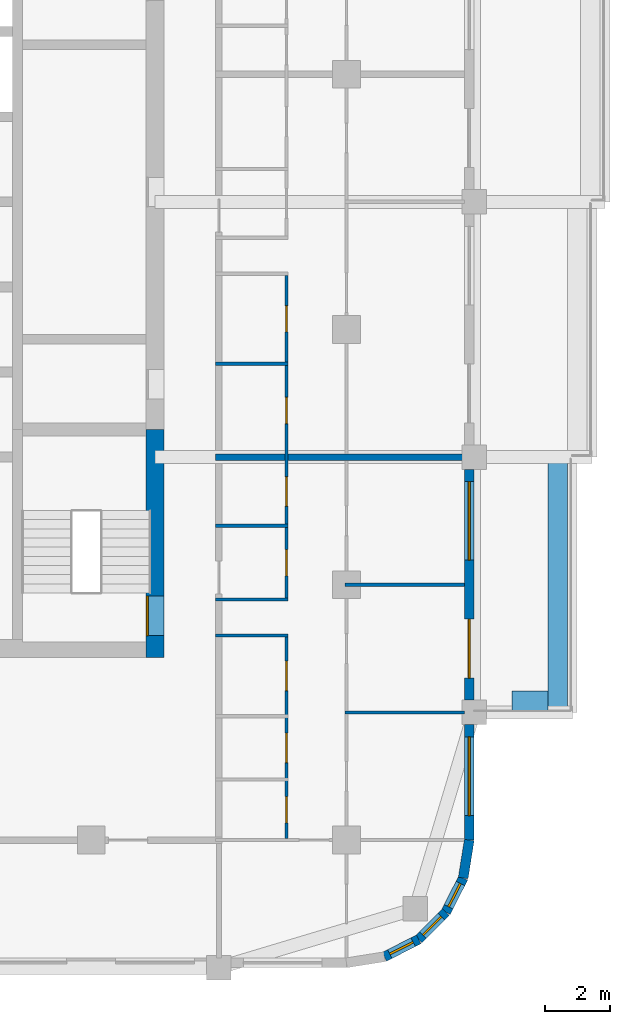
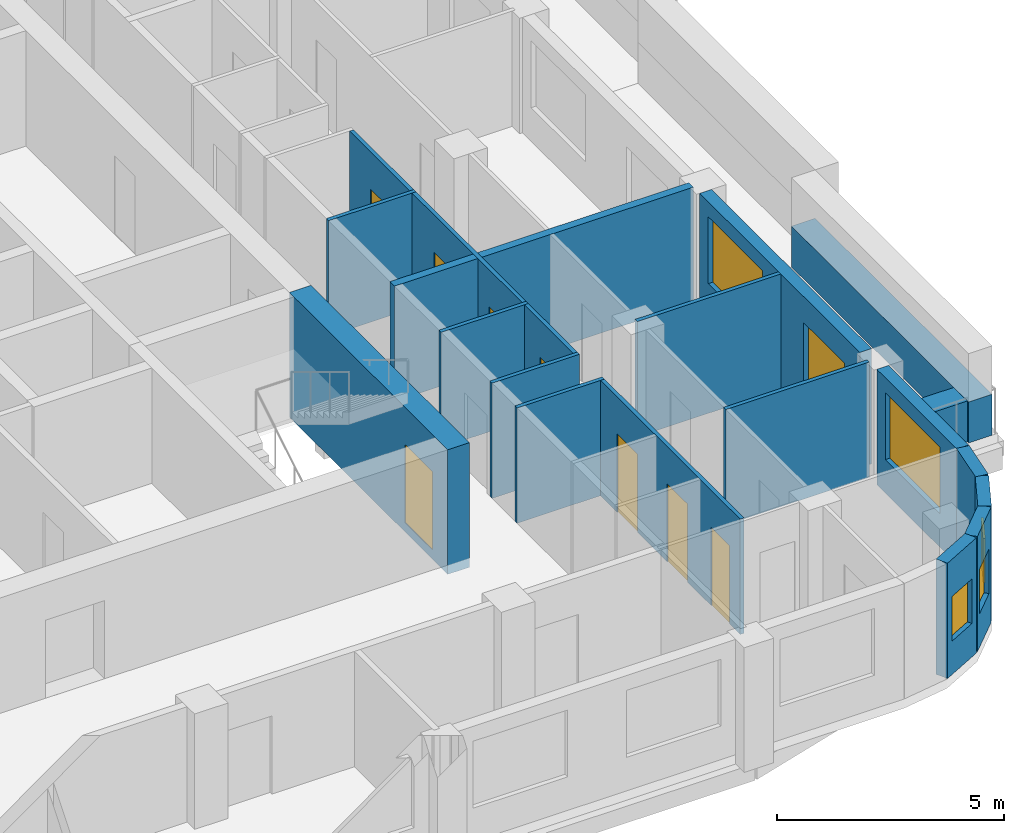
# One storey, part 6 of 13: 18 walls, 9 doors, 5 windows, 14 openings.
"""IFC4 building model written with IfcOpenShell, lengths in metres."""

from ifc_helpers import new_model, si_unit, direction, frame, frame_2d, origin, place, context, subcontext, project, spatial, rectangle, extrude, material, layer, layer_set, type_object, element, fill, save


model = new_model("IFC4")

# Units and contexts
model_context = context("Model", 3, precision=1e-05, world=origin(), true_north=direction((0.0, 1.0)))
body_context = subcontext(model_context, "Body", "Model", "MODEL_VIEW")
ifc_project = project(units=[si_unit("LENGTHUNIT", "METRE"), si_unit("AREAUNIT", "SQUARE_METRE"), si_unit("VOLUMEUNIT", "CUBIC_METRE"), si_unit("PLANEANGLEUNIT", "RADIAN"), si_unit("MASSUNIT", "GRAM", prefix="KILO")], contexts=[model_context])

# Site, building, storey
site_placement = place(None, origin())
site = spatial("IfcSite", under=ifc_project, at=site_placement, CompositionType="ELEMENT")
building_placement = place(site_placement, origin())
building = spatial("IfcBuilding", under=site, at=building_placement, Name="Ludao Terraces", CompositionType="ELEMENT")
storey_placement = place(building_placement, frame((0.0, 0.0, 189.39990234375)))
storey = spatial("IfcBuildingStorey", under=building, at=storey_placement, Name="L51", CompositionType="ELEMENT", Elevation=189.39990234375)

# Wall, opening, door
ifc_material_1 = material(Name="Concrete C60", Category="concrete")
ifc_layer_1 = layer(ifc_material_1, 0.550048828125)
ifc_layer_set_1 = layer_set([ifc_layer_1], Name="Core wall 550 C60")
wall_type_1 = type_object("IfcWallType", Name="Core wall 550 C60", PredefinedType="SOLIDWALL", material=ifc_layer_set_1)
wall_1_placement = place(storey_placement, frame((94.75, 54.97509765625, -0.25), z_axis=(0.0, 0.0, 1.0), x_axis=(0.0, 1.0, 0.0)))
wall_1 = element("IfcWall", 1, at=wall_1_placement, inside=storey, type_object=wall_type_1, Name="Core wall L51 outer-E-S3", PredefinedType="SOLIDWALL", context=body_context, shape_type="SweptSolid", body=[
    extrude(rectangle(XDim=6.974853515625, YDim=0.550048828125, at=frame_2d((3.4873046875, 0.0))), origin(), (0.0, 0.0, 1.0), 3.35009765625),
])
opening_1_placement = place(wall_1_placement, frame((0.675048828125, 0.0, 0.25)))
opening_1 = element("IfcOpeningElement", 2, at=opening_1_placement, cuts=wall_1, Name="Opening R18-019", PredefinedType="OPENING", context=body_context, shape_type="SweptSolid", body=[
    extrude(rectangle(XDim=1.199951171875, YDim=2.10009765625, at=frame_2d((0.60009765625, 1.050048828125))), frame((0.0, 0.28515625, 0.0), z_axis=(0.0, -1.0, 0.0), x_axis=(1.0, 0.0, 0.0)), (0.0, 0.0, 1.0), 0.570068359375),
])
ifc_material_2 = material(Name="Steel Q235", Category="steel")
door_type_1 = type_object("IfcDoorType", Name="INT Stair door 1200", OperationType="DOUBLE_DOOR_SINGLE_SWING", PredefinedType="DOOR", material=ifc_material_2)
door_1_placement = place(opening_1_placement, origin())
door_1 = element("IfcDoor", 3, at=door_1_placement, inside=storey, type_object=door_type_1, Name="DOOR 019", OperationType="DOUBLE_DOOR_SINGLE_SWING", OverallHeight=2.10009765625, OverallWidth=1.199951171875, PredefinedType="DOOR", context=body_context, shape_type="SweptSolid", body=[
    extrude(rectangle(XDim=1.199951171875, YDim=2.10009765625, at=frame_2d((0.60009765625, 1.050048828125))), frame((0.0, 0.26025390625, 0.0), z_axis=(0.0, -1.0, 0.0), x_axis=(1.0, 0.0, 0.0)), (0.0, 0.0, 1.0), 0.050048828125),
])
fill(opening_1, door_1)

# Walls
ifc_material_3 = material(Name="Concrete C40", Category="concrete")
ifc_layer_2 = layer(ifc_material_3, 0.60009765625)
ifc_layer_set_2 = layer_set([ifc_layer_2], Name="ENV Planter trough 600")
wall_type_2 = type_object("IfcWallType", Name="ENV Planter trough 600", PredefinedType="USERDEFINED", material=ifc_layer_set_2)
wall_2_placement = place(storey_placement, frame((107.050048828125, 53.300048828125, 0.0), z_axis=(0.0, 0.0, 1.0), x_axis=(0.0, 1.0, 0.0)))
element("IfcWall", 4, at=wall_2_placement, inside=storey, type_object=wall_type_2, Name="PL-L51-E1", ObjectType="PLANTER", PredefinedType="USERDEFINED", context=body_context, shape_type="SweptSolid", body=[
    extrude(rectangle(XDim=7.800048828125, YDim=0.60009765625, at=frame_2d((3.89990234375, 0.0))), origin(), (0.0, 0.0, 1.0), 1.10009765625),
])
wall_3_placement = place(storey_placement, frame((106.75, 53.64990234375, 0.0), z_axis=(0.0, 0.0, 1.0), x_axis=(-1.0, 0.0, 0.0)))
element("IfcWall", 5, at=wall_3_placement, inside=storey, type_object=wall_type_2, Name="PL-L51-E1-SA", ObjectType="PLANTER", PredefinedType="USERDEFINED", context=body_context, shape_type="SweptSolid", body=[
    extrude(rectangle(XDim=1.10009765625, YDim=0.60009765625, at=frame_2d((0.550048828125, 0.0))), origin(), (0.0, 0.0, 1.0), 1.10009765625),
])

# Wall, opening, window
ifc_material_4 = material(Name="Granite cladding", Category="masonry")
ifc_layer_3 = layer(ifc_material_4, 0.0400390625, Category="stone")
ifc_material_5 = material(Name="Mineral wool")
ifc_layer_4 = layer(ifc_material_5, 0.06005859375)
ifc_layer_5 = layer(ifc_material_3, 0.199951171875, Category="concrete")
ifc_layer_set_3 = layer_set([ifc_layer_3, ifc_layer_4, ifc_layer_5], Name="ENV Stone-clad wall 300")
wall_type_3 = type_object("IfcWallType", Name="ENV Stone-clad wall 300", PredefinedType="SOLIDWALL", material=ifc_layer_set_3)
wall_4_placement = place(storey_placement, frame((104.35009765625, 49.39990234375, 0.0), z_axis=(0.0, 0.0, 1.0), x_axis=(0.0, 1.0, 0.0)))
wall_4 = element("IfcWall", 6, at=wall_4_placement, inside=storey, type_object=wall_type_3, Name="EW-L51-E1", PredefinedType="SOLIDWALL", context=body_context, shape_type="SweptSolid", body=[
    extrude(rectangle(XDim=3.525146484375, YDim=0.300048828125, at=frame_2d((1.7626953125, 0.0))), origin(), (0.0, 0.0, 1.0), 3.10009765625),
])
opening_2_placement = place(wall_4_placement, frame((0.75, 0.0, 0.89990234375)))
opening_2 = element("IfcOpeningElement", 7, at=opening_2_placement, cuts=wall_4, Name="Opening W1", PredefinedType="OPENING", context=body_context, shape_type="SweptSolid", body=[
    extrude(rectangle(XDim=2.39990234375, YDim=1.800048828125, at=frame_2d((1.199951171875, 0.89990234375))), frame((0.0, 0.16015625, 0.0), z_axis=(0.0, -1.0, 0.0), x_axis=(1.0, 0.0, 0.0)), (0.0, 0.0, 1.0), 0.320068359375),
])
ifc_material_6 = material(Name="Clear glass in aluminium frame", Category="aluminium")
ifc_layer_6 = layer(ifc_material_6, 0.06005859375)
ifc_layer_set_4 = layer_set([ifc_layer_6], Name="ENV Window W1 2400x1800")
window_type_1 = type_object("IfcWindowType", Name="ENV Window W1 2400x1800", PartitioningType="DOUBLE_PANEL_VERTICAL", PredefinedType="WINDOW", material=ifc_layer_set_4)
window_1_placement = place(opening_2_placement, origin())
window_1 = element("IfcWindow", 8, at=window_1_placement, inside=storey, type_object=window_type_1, Name="W-L51-E1-1", OverallHeight=1.800048828125, OverallWidth=2.39990234375, PartitioningType="DOUBLE_PANEL_VERTICAL", PredefinedType="WINDOW", context=body_context, shape_type="SweptSolid", body=[
    extrude(rectangle(XDim=2.39990234375, YDim=1.800048828125, at=frame_2d((1.199951171875, 0.89990234375))), frame((0.0, 0.030029296875, 0.0), z_axis=(0.0, -1.0, 0.0), x_axis=(1.0, 0.0, 0.0)), (0.0, 0.0, 1.0), 0.06005859375),
])
fill(opening_2, window_1)

# Wall, openings, door, window
wall_5_placement = place(storey_placement, frame((104.35009765625, 53.675048828125, 0.0), z_axis=(0.0, 0.0, 1.0), x_axis=(0.0, 1.0, 0.0)))
wall_5 = element("IfcWall", 9, at=wall_5_placement, inside=storey, type_object=wall_type_3, Name="EW-L51-E2", PredefinedType="SOLIDWALL", context=body_context, shape_type="SweptSolid", body=[
    extrude(rectangle(XDim=7.050048828125, YDim=0.300048828125, at=frame_2d((3.52490234375, 0.0))), origin(), (0.0, 0.0, 1.0), 3.10009765625),
])
opening_3_placement = place(wall_5_placement, frame((0.675048828125, 0.0, 0.0)))
opening_3 = element("IfcOpeningElement", 10, at=opening_3_placement, cuts=wall_5, Name="Opening BD", PredefinedType="OPENING", context=body_context, shape_type="SweptSolid", body=[
    extrude(rectangle(XDim=1.800048828125, YDim=2.39990234375, at=frame_2d((0.89990234375, 1.199951171875))), frame((0.0, 0.16015625, 0.0), z_axis=(0.0, -1.0, 0.0), x_axis=(1.0, 0.0, 0.0)), (0.0, 0.0, 1.0), 0.320068359375),
])
opening_4_placement = place(wall_5_placement, frame((4.27490234375, 0.0, 0.89990234375)))
opening_4 = element("IfcOpeningElement", 11, at=opening_4_placement, cuts=wall_5, Name="Opening W1", PredefinedType="OPENING", context=body_context, shape_type="SweptSolid", body=[
    extrude(rectangle(XDim=2.39990234375, YDim=1.800048828125, at=frame_2d((1.199951171875, 0.89990234375))), frame((0.0, 0.16015625, 0.0), z_axis=(0.0, -1.0, 0.0), x_axis=(1.0, 0.0, 0.0)), (0.0, 0.0, 1.0), 0.320068359375),
])
ifc_material_7 = material(Name="Aluminium glazed door", Category="aluminium")
ifc_layer_7 = layer(ifc_material_7, 0.06005859375)
ifc_layer_set_5 = layer_set([ifc_layer_7], Name="ENV Balcony door BD 1800x2400")
door_type_2 = type_object("IfcDoorType", Name="ENV Balcony door BD 1800x2400", OperationType="DOUBLE_DOOR_SINGLE_SWING", PredefinedType="DOOR", material=ifc_layer_set_5)
door_2_placement = place(opening_3_placement, origin())
door_2 = element("IfcDoor", 12, at=door_2_placement, inside=storey, type_object=door_type_2, Name="BD-L51-E2-1", OperationType="DOUBLE_DOOR_SINGLE_SWING", OverallHeight=2.39990234375, OverallWidth=1.800048828125, PredefinedType="DOOR", context=body_context, shape_type="SweptSolid", body=[
    extrude(rectangle(XDim=1.800048828125, YDim=2.39990234375, at=frame_2d((0.89990234375, 1.199951171875))), frame((0.0, 0.02490234375, 0.0), z_axis=(0.0, -1.0, 0.0), x_axis=(1.0, 0.0, 0.0)), (0.0, 0.0, 1.0), 0.050048828125),
])
fill(opening_3, door_2)
window_2_placement = place(opening_4_placement, origin())
window_2 = element("IfcWindow", 13, at=window_2_placement, inside=storey, type_object=window_type_1, Name="W-L51-E2-2", OverallHeight=1.800048828125, OverallWidth=2.39990234375, PartitioningType="DOUBLE_PANEL_VERTICAL", PredefinedType="WINDOW", context=body_context, shape_type="SweptSolid", body=[
    extrude(rectangle(XDim=2.39990234375, YDim=1.800048828125, at=frame_2d((1.199951171875, 0.89990234375))), frame((0.0, 0.030029296875, 0.0), z_axis=(0.0, -1.0, 0.0), x_axis=(1.0, 0.0, 0.0)), (0.0, 0.0, 1.0), 0.06005859375),
])
fill(opening_4, window_2)

# Wall, opening, window
wall_6_placement = place(storey_placement, frame((101.7587890625, 45.83349609375, 0.0), z_axis=(0.0, 0.0, 1.0), x_axis=(0.890988677504, 0.454025524128, 0.0)))
wall_6 = element("IfcWall", 14, at=wall_6_placement, inside=storey, type_object=wall_type_3, Name="EW-L51-SE2", PredefinedType="SOLIDWALL", context=body_context, shape_type="SweptSolid", body=[
    extrude(rectangle(XDim=1.17333984375, YDim=0.300048828125, at=frame_2d((0.586669921875, 0.0))), origin(), (0.0, 0.0, 1.0), 3.10009765625),
])
opening_5_placement = place(wall_6_placement, frame((0.1865234375, 0.0, 0.89990234375)))
opening_5 = element("IfcOpeningElement", 15, at=opening_5_placement, cuts=wall_6, Name="Opening W3", PredefinedType="OPENING", context=body_context, shape_type="SweptSolid", body=[
    extrude(rectangle(XDim=0.800048828125, YDim=1.199951171875, at=frame_2d((0.39990234375, 0.60009765625))), frame((0.0, 0.16015625, 0.0), z_axis=(0.0, -1.0, 0.0), x_axis=(1.0, 0.0, 0.0)), (0.0, 0.0, 1.0), 0.320068359375),
])
ifc_layer_8 = layer(ifc_material_6, 0.06005859375)
ifc_layer_set_6 = layer_set([ifc_layer_8], Name="ENV Window W3 800x1200")
window_type_2 = type_object("IfcWindowType", Name="ENV Window W3 800x1200", PartitioningType="SINGLE_PANEL", PredefinedType="WINDOW", material=ifc_layer_set_6)
window_3_placement = place(opening_5_placement, origin())
window_3 = element("IfcWindow", 16, at=window_3_placement, inside=storey, type_object=window_type_2, Name="W-L51-SE2", OverallHeight=1.199951171875, OverallWidth=0.800048828125, PartitioningType="SINGLE_PANEL", PredefinedType="WINDOW", context=body_context, shape_type="SweptSolid", body=[
    extrude(rectangle(XDim=0.800048828125, YDim=1.199951171875, at=frame_2d((0.39990234375, 0.60009765625))), frame((0.0, 0.030029296875, 0.0), z_axis=(0.0, -1.0, 0.0), x_axis=(1.0, 0.0, 0.0)), (0.0, 0.0, 1.0), 0.06005859375),
])
fill(opening_5, window_3)

wall_7_placement = place(storey_placement, frame((102.80419921875, 46.3662109375, 0.0), z_axis=(0.0, 0.0, 1.0), x_axis=(0.707106781187, 0.707106781187, 0.0)))
wall_7 = element("IfcWall", 17, at=wall_7_placement, inside=storey, type_object=wall_type_3, Name="EW-L51-SE3", PredefinedType="SOLIDWALL", context=body_context, shape_type="SweptSolid", body=[
    extrude(rectangle(XDim=1.173095703125, YDim=0.300048828125, at=frame_2d((0.58642578125, 0.0))), origin(), (0.0, 0.0, 1.0), 3.10009765625),
])
opening_6_placement = place(wall_7_placement, frame((0.1865234375, 0.0, 0.89990234375)))
opening_6 = element("IfcOpeningElement", 18, at=opening_6_placement, cuts=wall_7, Name="Opening W3", PredefinedType="OPENING", context=body_context, shape_type="SweptSolid", body=[
    extrude(rectangle(XDim=0.800048828125, YDim=1.199951171875, at=frame_2d((0.39990234375, 0.60009765625))), frame((0.0, 0.16015625, 0.0), z_axis=(0.0, -1.0, 0.0), x_axis=(1.0, 0.0, 0.0)), (0.0, 0.0, 1.0), 0.320068359375),
])
window_4_placement = place(opening_6_placement, origin())
window_4 = element("IfcWindow", 19, at=window_4_placement, inside=storey, type_object=window_type_2, Name="W-L51-SE3", OverallHeight=1.199951171875, OverallWidth=0.800048828125, PartitioningType="SINGLE_PANEL", PredefinedType="WINDOW", context=body_context, shape_type="SweptSolid", body=[
    extrude(rectangle(XDim=0.800048828125, YDim=1.199951171875, at=frame_2d((0.39990234375, 0.60009765625))), frame((0.0, 0.030029296875, 0.0), z_axis=(0.0, -1.0, 0.0), x_axis=(1.0, 0.0, 0.0)), (0.0, 0.0, 1.0), 0.06005859375),
])
fill(opening_6, window_4)

wall_8_placement = place(storey_placement, frame((103.6337890625, 47.19580078125, 0.0), z_axis=(0.0, 0.0, 1.0), x_axis=(0.454025524128, 0.890988677504, 0.0)))
wall_8 = element("IfcWall", 20, at=wall_8_placement, inside=storey, type_object=wall_type_3, Name="EW-L51-SE4", PredefinedType="SOLIDWALL", context=body_context, shape_type="SweptSolid", body=[
    extrude(rectangle(XDim=1.17333984375, YDim=0.300048828125, at=frame_2d((0.586669921875, 0.0))), origin(), (0.0, 0.0, 1.0), 3.10009765625),
])
opening_7_placement = place(wall_8_placement, frame((0.1865234375, 0.0, 0.89990234375)))
opening_7 = element("IfcOpeningElement", 21, at=opening_7_placement, cuts=wall_8, Name="Opening W3", PredefinedType="OPENING", context=body_context, shape_type="SweptSolid", body=[
    extrude(rectangle(XDim=0.800048828125, YDim=1.199951171875, at=frame_2d((0.39990234375, 0.60009765625))), frame((0.0, 0.16015625, 0.0), z_axis=(0.0, -1.0, 0.0), x_axis=(1.0, 0.0, 0.0)), (0.0, 0.0, 1.0), 0.320068359375),
])
window_5_placement = place(opening_7_placement, origin())
window_5 = element("IfcWindow", 22, at=window_5_placement, inside=storey, type_object=window_type_2, Name="W-L51-SE4", OverallHeight=1.199951171875, OverallWidth=0.800048828125, PartitioningType="SINGLE_PANEL", PredefinedType="WINDOW", context=body_context, shape_type="SweptSolid", body=[
    extrude(rectangle(XDim=0.800048828125, YDim=1.199951171875, at=frame_2d((0.39990234375, 0.60009765625))), frame((0.0, 0.030029296875, 0.0), z_axis=(0.0, -1.0, 0.0), x_axis=(1.0, 0.0, 0.0)), (0.0, 0.0, 1.0), 0.06005859375),
])
fill(opening_7, window_5)

# Walls
wall_9_placement = place(storey_placement, frame((104.16650390625, 48.2412109375, 0.0), z_axis=(0.0, 0.0, 1.0), x_axis=(0.156496880861, 0.987678452879, 0.0)))
element("IfcWall", 23, at=wall_9_placement, inside=storey, type_object=wall_type_3, Name="EW-L51-SE5", PredefinedType="SOLIDWALL", context=body_context, shape_type="SweptSolid", body=[
    extrude(rectangle(XDim=1.173095703125, YDim=0.300048828125, at=frame_2d((0.58642578125, 0.0))), origin(), (0.0, 0.0, 1.0), 3.10009765625),
])
ifc_material_8 = material(Name="Gypsum plasterboard", Category="gypsum")
ifc_layer_9 = layer(ifc_material_8, 0.012451171875, Category="gypsum")
ifc_layer_10 = layer(ifc_material_5, 0.06005859375, Name="insulation")
ifc_layer_11 = layer(ifc_material_2, 0.014892578125, Name="stud")
ifc_layer_12 = layer(ifc_material_8, 0.012451171875, Category="gypsum")
ifc_layer_set_7 = layer_set([ifc_layer_9, ifc_layer_10, ifc_layer_11, ifc_layer_12], Name="INT Partition 100")
wall_type_4 = type_object("IfcWallType", Name="INT Partition 100", PredefinedType="PARTITIONING", material=ifc_layer_set_7)
wall_10_placement = place(storey_placement, frame((100.550048828125, 53.300048828125, 0.0), z_axis=(0.0, 0.0, 1.0), x_axis=(1.0, 0.0, 0.0)))
element("IfcWall", 24, at=wall_10_placement, inside=storey, type_object=wall_type_4, Name="PW-L51-PW007", PredefinedType="PARTITIONING", context=body_context, shape_type="SweptSolid", body=[
    extrude(rectangle(XDim=3.650146484375, YDim=0.10009765625, at=frame_2d((1.8251953125, 0.0))), origin(), (0.0, 0.0, 1.0), 3.10009765625),
])
for number, where, z_axis, x_axis, name in (
    (25, (96.60009765625, 55.64990234375, 0.0), (0.0, 0.0, 1.0), (1.0, 0.0, 0.0), "PW-L51-PW009"),
    (26, (96.60009765625, 56.75, 0.0), (0.0, 0.0, 1.0), (1.0, 0.0, 0.0), "PW-L51-PW011"),
):
    element("IfcWall", number, at=place(storey_placement, frame(where, z_axis=z_axis, x_axis=x_axis)), inside=storey, type_object=wall_type_4, Name=name, PredefinedType="PARTITIONING", context=body_context, shape_type="SweptSolid", body=[
        extrude(rectangle(XDim=2.219970703125, YDim=0.10009765625, at=frame_2d((1.10986328125, 0.0))), origin(), (0.0, 0.0, 1.0), 3.10009765625),
    ])
wall_11_placement = place(storey_placement, frame((100.550048828125, 57.199951171875, 0.0), z_axis=(0.0, 0.0, 1.0), x_axis=(1.0, 0.0, 0.0)))
element("IfcWall", 27, at=wall_11_placement, inside=storey, type_object=wall_type_4, Name="PW-L51-PW013", PredefinedType="PARTITIONING", context=body_context, shape_type="SweptSolid", body=[
    extrude(rectangle(XDim=3.650146484375, YDim=0.10009765625, at=frame_2d((1.8251953125, 0.0))), origin(), (0.0, 0.0, 1.0), 3.10009765625),
])
for number, where, z_axis, x_axis, name in (
    (28, (96.60009765625, 59.0, 0.0), (0.0, 0.0, 1.0), (1.0, 0.0, 0.0), "PW-L51-PW015"),
    (29, (96.60009765625, 63.949951171875, 0.0), (0.0, 0.0, 1.0), (1.0, 0.0, 0.0), "PW-L51-PW021"),
):
    element("IfcWall", number, at=place(storey_placement, frame(where, z_axis=z_axis, x_axis=x_axis)), inside=storey, type_object=wall_type_4, Name=name, PredefinedType="PARTITIONING", context=body_context, shape_type="SweptSolid", body=[
        extrude(rectangle(XDim=2.219970703125, YDim=0.10009765625, at=frame_2d((1.10986328125, 0.0))), origin(), (0.0, 0.0, 1.0), 3.10009765625),
    ])

# Wall, openings, doors
wall_12_placement = place(storey_placement, frame((98.77001953125, 49.4501953125, 0.0), z_axis=(0.0, 0.0, 1.0), x_axis=(0.0, 1.0, 0.0)))
wall_12 = element("IfcWall", 30, at=wall_12_placement, inside=storey, type_object=wall_type_4, Name="PW-L51-PW060", PredefinedType="PARTITIONING", context=body_context, shape_type="SweptSolid", body=[
    extrude(rectangle(XDim=6.14990234375, YDim=0.10009765625, at=frame_2d((3.074951171875, 0.0))), origin(), (0.0, 0.0, 1.0), 3.10009765625),
])
opening_8_placement = place(wall_12_placement, frame((0.474853515625, 0.0, 0.0)))
opening_8 = element("IfcOpeningElement", 31, at=opening_8_placement, cuts=wall_12, Name="Opening R18-008", PredefinedType="OPENING", context=body_context, shape_type="SweptSolid", body=[
    extrude(rectangle(XDim=0.800048828125, YDim=2.10009765625, at=frame_2d((0.39990234375, 1.050048828125))), frame((0.0, 0.06005859375, 0.0), z_axis=(0.0, -1.0, 0.0), x_axis=(1.0, 0.0, 0.0)), (0.0, 0.0, 1.0), 0.1201171875),
])
opening_9_placement = place(wall_12_placement, frame((2.31494140625, 0.0, 0.0)))
opening_9 = element("IfcOpeningElement", 32, at=opening_9_placement, cuts=wall_12, Name="Opening R18-012", PredefinedType="OPENING", context=body_context, shape_type="SweptSolid", body=[
    extrude(rectangle(XDim=0.89990234375, YDim=2.10009765625, at=frame_2d((0.449951171875, 1.050048828125))), frame((0.0, 0.06005859375, 0.0), z_axis=(0.0, -1.0, 0.0), x_axis=(1.0, 0.0, 0.0)), (0.0, 0.0, 1.0), 0.1201171875),
])
opening_10_placement = place(wall_12_placement, frame((4.514892578125, 0.0, 0.0)))
opening_10 = element("IfcOpeningElement", 33, at=opening_10_placement, cuts=wall_12, Name="Opening R18-014", PredefinedType="OPENING", context=body_context, shape_type="SweptSolid", body=[
    extrude(rectangle(XDim=0.89990234375, YDim=2.10009765625, at=frame_2d((0.449951171875, 1.050048828125))), frame((0.0, 0.06005859375, 0.0), z_axis=(0.0, -1.0, 0.0), x_axis=(1.0, 0.0, 0.0)), (0.0, 0.0, 1.0), 0.1201171875),
])
ifc_material_9 = material(Name="Timber door leaf", Category="wood")
door_type_3 = type_object("IfcDoorType", Name="INT Bathroom door 900", OperationType="SINGLE_SWING_LEFT", PredefinedType="DOOR", material=ifc_material_9)
door_3_placement = place(opening_9_placement, origin())
door_3 = element("IfcDoor", 34, at=door_3_placement, inside=storey, type_object=door_type_3, Name="DOOR 012", OperationType="SINGLE_SWING_RIGHT", OverallHeight=2.10009765625, OverallWidth=0.89990234375, PredefinedType="DOOR", context=body_context, shape_type="SweptSolid", body=[
    extrude(rectangle(XDim=0.89990234375, YDim=2.10009765625, at=frame_2d((0.449951171875, 1.050048828125))), frame((0.0, 0.02490234375, 0.0), z_axis=(0.0, -1.0, 0.0), x_axis=(1.0, 0.0, 0.0)), (0.0, 0.0, 1.0), 0.050048828125),
])
fill(opening_9, door_3)
door_type_4 = type_object("IfcDoorType", Name="INT Room door 900", OperationType="SINGLE_SWING_LEFT", PredefinedType="DOOR", material=ifc_material_9)
door_4_placement = place(opening_10_placement, origin())
door_4 = element("IfcDoor", 35, at=door_4_placement, inside=storey, type_object=door_type_4, Name="DOOR 014", OperationType="SINGLE_SWING_LEFT", OverallHeight=2.10009765625, OverallWidth=0.89990234375, PredefinedType="DOOR", context=body_context, shape_type="SweptSolid", body=[
    extrude(rectangle(XDim=0.89990234375, YDim=2.10009765625, at=frame_2d((0.449951171875, 1.050048828125))), frame((0.0, 0.02490234375, 0.0), z_axis=(0.0, -1.0, 0.0), x_axis=(1.0, 0.0, 0.0)), (0.0, 0.0, 1.0), 0.050048828125),
])
fill(opening_10, door_4)
door_type_5 = type_object("IfcDoorType", Name="INT Store door 800", OperationType="SINGLE_SWING_LEFT", PredefinedType="DOOR", material=ifc_material_9)
door_5_placement = place(opening_8_placement, origin())
door_5 = element("IfcDoor", 36, at=door_5_placement, inside=storey, type_object=door_type_5, Name="DOOR 008", OperationType="SINGLE_SWING_LEFT", OverallHeight=2.10009765625, OverallWidth=0.800048828125, PredefinedType="DOOR", context=body_context, shape_type="SweptSolid", body=[
    extrude(rectangle(XDim=0.800048828125, YDim=2.10009765625, at=frame_2d((0.39990234375, 1.050048828125))), frame((0.0, 0.02490234375, 0.0), z_axis=(0.0, -1.0, 0.0), x_axis=(1.0, 0.0, 0.0)), (0.0, 0.0, 1.0), 0.050048828125),
])
fill(opening_8, door_5)

wall_13_placement = place(storey_placement, frame((98.77001953125, 56.800048828125, 0.0), z_axis=(0.0, 0.0, 1.0), x_axis=(0.0, 1.0, 0.0)))
wall_13 = element("IfcWall", 37, at=wall_13_placement, inside=storey, type_object=wall_type_4, Name="PW-L51-PW061", PredefinedType="PARTITIONING", context=body_context, shape_type="SweptSolid", body=[
    extrude(rectangle(XDim=9.85009765625, YDim=0.10009765625, at=frame_2d((4.925048828125, 0.0))), origin(), (0.0, 0.0, 1.0), 3.10009765625),
])
opening_11_placement = place(wall_13_placement, frame((0.675048828125, 0.0, 0.0)))
opening_11 = element("IfcOpeningElement", 38, at=opening_11_placement, cuts=wall_13, Name="Opening R18-022", PredefinedType="OPENING", context=body_context, shape_type="SweptSolid", body=[
    extrude(rectangle(XDim=0.800048828125, YDim=2.10009765625, at=frame_2d((0.39990234375, 1.050048828125))), frame((0.0, 0.06005859375, 0.0), z_axis=(0.0, -1.0, 0.0), x_axis=(1.0, 0.0, 0.0)), (0.0, 0.0, 1.0), 0.1201171875),
])
opening_12_placement = place(wall_13_placement, frame((2.800048828125, 0.0, 0.0)))
opening_12 = element("IfcOpeningElement", 39, at=opening_12_placement, cuts=wall_13, Name="Opening R18-026", PredefinedType="OPENING", context=body_context, shape_type="SweptSolid", body=[
    extrude(rectangle(XDim=0.89990234375, YDim=2.10009765625, at=frame_2d((0.449951171875, 1.050048828125))), frame((0.0, 0.06005859375, 0.0), z_axis=(0.0, -1.0, 0.0), x_axis=(1.0, 0.0, 0.0)), (0.0, 0.0, 1.0), 0.1201171875),
])
opening_13_placement = place(wall_13_placement, frame((5.324951171875, 0.0, 0.0)))
opening_13 = element("IfcOpeningElement", 40, at=opening_13_placement, cuts=wall_13, Name="Opening R18-031", PredefinedType="OPENING", context=body_context, shape_type="SweptSolid", body=[
    extrude(rectangle(XDim=0.800048828125, YDim=2.10009765625, at=frame_2d((0.39990234375, 1.050048828125))), frame((0.0, 0.06005859375, 0.0), z_axis=(0.0, -1.0, 0.0), x_axis=(1.0, 0.0, 0.0)), (0.0, 0.0, 1.0), 0.1201171875),
])
opening_14_placement = place(wall_13_placement, frame((8.125, 0.0, 0.0)))
opening_14 = element("IfcOpeningElement", 41, at=opening_14_placement, cuts=wall_13, Name="Opening R18-039", PredefinedType="OPENING", context=body_context, shape_type="SweptSolid", body=[
    extrude(rectangle(XDim=0.800048828125, YDim=2.10009765625, at=frame_2d((0.39990234375, 1.050048828125))), frame((0.0, 0.06005859375, 0.0), z_axis=(0.0, -1.0, 0.0), x_axis=(1.0, 0.0, 0.0)), (0.0, 0.0, 1.0), 0.1201171875),
])
door_6_placement = place(opening_12_placement, origin())
door_6 = element("IfcDoor", 42, at=door_6_placement, inside=storey, type_object=door_type_3, Name="DOOR 026", OperationType="SINGLE_SWING_RIGHT", OverallHeight=2.10009765625, OverallWidth=0.89990234375, PredefinedType="DOOR", context=body_context, shape_type="SweptSolid", body=[
    extrude(rectangle(XDim=0.89990234375, YDim=2.10009765625, at=frame_2d((0.449951171875, 1.050048828125))), frame((0.0, 0.02490234375, 0.0), z_axis=(0.0, -1.0, 0.0), x_axis=(1.0, 0.0, 0.0)), (0.0, 0.0, 1.0), 0.050048828125),
])
fill(opening_12, door_6)
door_7_placement = place(opening_11_placement, origin())
door_7 = element("IfcDoor", 43, at=door_7_placement, inside=storey, type_object=door_type_5, Name="DOOR 022", OperationType="SINGLE_SWING_LEFT", OverallHeight=2.10009765625, OverallWidth=0.800048828125, PredefinedType="DOOR", context=body_context, shape_type="SweptSolid", body=[
    extrude(rectangle(XDim=0.800048828125, YDim=2.10009765625, at=frame_2d((0.39990234375, 1.050048828125))), frame((0.0, 0.02490234375, 0.0), z_axis=(0.0, -1.0, 0.0), x_axis=(1.0, 0.0, 0.0)), (0.0, 0.0, 1.0), 0.050048828125),
])
fill(opening_11, door_7)
door_8_placement = place(opening_13_placement, origin())
door_8 = element("IfcDoor", 44, at=door_8_placement, inside=storey, type_object=door_type_5, Name="DOOR 031", OperationType="SINGLE_SWING_LEFT", OverallHeight=2.10009765625, OverallWidth=0.800048828125, PredefinedType="DOOR", context=body_context, shape_type="SweptSolid", body=[
    extrude(rectangle(XDim=0.800048828125, YDim=2.10009765625, at=frame_2d((0.39990234375, 1.050048828125))), frame((0.0, 0.02490234375, 0.0), z_axis=(0.0, -1.0, 0.0), x_axis=(1.0, 0.0, 0.0)), (0.0, 0.0, 1.0), 0.050048828125),
])
fill(opening_13, door_8)
door_9_placement = place(opening_14_placement, origin())
door_9 = element("IfcDoor", 45, at=door_9_placement, inside=storey, type_object=door_type_5, Name="DOOR 039", OperationType="SINGLE_SWING_RIGHT", OverallHeight=2.10009765625, OverallWidth=0.800048828125, PredefinedType="DOOR", context=body_context, shape_type="SweptSolid", body=[
    extrude(rectangle(XDim=0.800048828125, YDim=2.10009765625, at=frame_2d((0.39990234375, 1.050048828125))), frame((0.0, 0.02490234375, 0.0), z_axis=(0.0, -1.0, 0.0), x_axis=(1.0, 0.0, 0.0)), (0.0, 0.0, 1.0), 0.050048828125),
])
fill(opening_14, door_9)

# Wall
ifc_material_10 = material(Name="Autoclaved aerated concrete block B06 A3.5", Category="concrete")
ifc_layer_13 = layer(ifc_material_10, 0.199951171875)
ifc_layer_set_8 = layer_set([ifc_layer_13], Name="INT Party wall 200")
wall_type_5 = type_object("IfcWallType", Name="INT Party wall 200", PredefinedType="PARTITIONING", material=ifc_layer_set_8)
wall_14_placement = place(storey_placement, frame((96.60009765625, 61.10009765625, 0.0), z_axis=(0.0, 0.0, 1.0), x_axis=(1.0, 0.0, 0.0)))
element("IfcWall", 46, at=wall_14_placement, inside=storey, type_object=wall_type_5, Name="PW-L51-PW018", PredefinedType="PARTITIONING", context=body_context, shape_type="SweptSolid", body=[
    extrude(rectangle(XDim=7.60009765625, YDim=0.199951171875, at=frame_2d((3.800048828125, 0.0))), origin(), (0.0, 0.0, 1.0), 3.10009765625),
])

save(model, "model.ifc")
